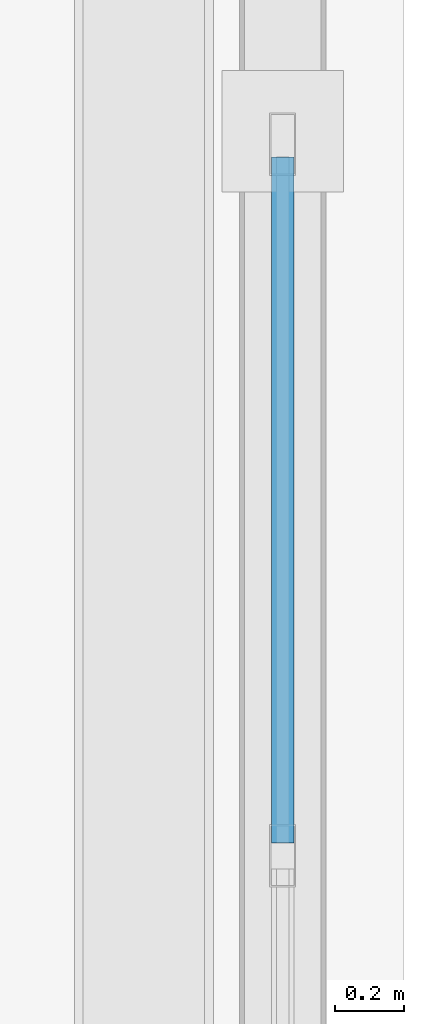
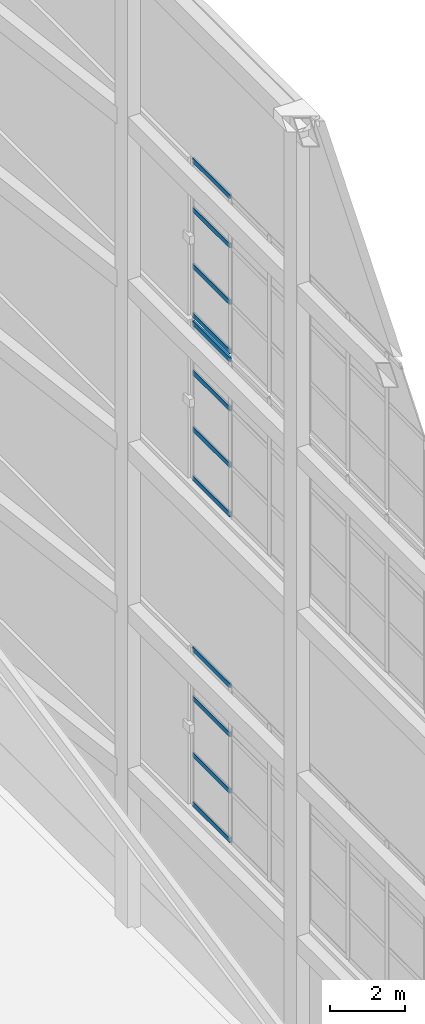
# One storey, part 40 of 47: 12 members, 3 elements without a shape of their own.
"""IFC4 building model written with IfcOpenShell, lengths in metres."""

from ifc_helpers import new_model, si_unit, direction, frame, origin, origin_2d, place, context, subcontext, project, spatial, hollow_rectangle, extrude, material, layer, layer_set, material_profile, profile_set, type_object, element, aggregate, save


model = new_model("IFC4")

# Units and contexts
model_context = context("Model", 3, precision=1e-05, world=origin(), true_north=direction((0.0, 1.0)))
body_context = subcontext(model_context, "Body", "Model", "MODEL_VIEW")
ifc_project = project(units=[si_unit("LENGTHUNIT", "METRE"), si_unit("AREAUNIT", "SQUARE_METRE"), si_unit("VOLUMEUNIT", "CUBIC_METRE"), si_unit("PLANEANGLEUNIT", "RADIAN"), si_unit("MASSUNIT", "GRAM", prefix="KILO")], contexts=[model_context])

# Site, building, storey
site_placement = place(None, origin())
site = spatial("IfcSite", under=ifc_project, at=site_placement, CompositionType="ELEMENT")
building_placement = place(site_placement, origin())
building = spatial("IfcBuilding", under=site, at=building_placement, Name="Qiaolan Cultural Towers", CompositionType="ELEMENT")
storey_placement = place(building_placement, frame((0.0, 0.0, 280.199951171875)))
storey = spatial("IfcBuildingStorey", under=building, at=storey_placement, Name="RF", CompositionType="ELEMENT", Elevation=280.199951171875)

# Curtain wall, members
ifc_material_1 = material(Name="Unitized Anodized Aluminium Curtain Wall System", Category="aluminium")
ifc_layer = layer(ifc_material_1, 0.199951171875)
ifc_layer_set = layer_set([ifc_layer], Name="Unitized Anodized Aluminium Curtain Wall System")
curtain_wall_type = type_object("IfcCurtainWallType", Name="CWS-06", PredefinedType="NOTDEFINED", material=ifc_layer_set)
curtain_wall_1_placement = place(storey_placement, origin())
curtain_wall_1 = element("IfcCurtainWall", 1, at=curtain_wall_1_placement, inside=storey, type_object=curtain_wall_type, Name="T1 Crown Tier 2 Fritted Screen Curtain Wall 3", PredefinedType="NOTDEFINED")
ifc_material_2 = material(Name="Extruded Aluminium 6063-T6", Category="aluminium")
ifc_material_profile = material_profile(ifc_material_2, hollow_rectangle(XDim=0.06494140625, YDim=0.14990234375, WallThickness=0.00390625, at=origin_2d()), Name="CWT-150x65x4")
ifc_profile_set = profile_set([ifc_material_profile], Name="Extruded Aluminium 6063-T6")
member_type = type_object("IfcMemberType", Name="CWS-06-TRN", PredefinedType="USERDEFINED", material=ifc_profile_set)
member_1_placement = place(storey_placement, frame((45.050048828125, 38.217529296875, 5.4326171875), z_axis=(0.0, 1.0, 0.0), x_axis=(-1.0, 0.0, 0.0)))
member_1 = element("IfcMember", 2, at=member_1_placement, type_object=member_type, Name="CW-6 transom 6.1", ObjectType="TRANSOM", PredefinedType="USERDEFINED", context=body_context, shape_type="SweptSolid", body=[
    extrude(hollow_rectangle(XDim=0.06494140625, YDim=0.14990234375, WallThickness=0.00390625, at=origin_2d()), origin(), (0.0, 0.0, 1.0), 1.9775390625),
])
member_2_placement = place(storey_placement, frame((45.050048828125, 38.217529296875, 7.030029296875), z_axis=(0.0, 1.0, 0.0), x_axis=(-1.0, 0.0, 0.0)))
member_2 = element("IfcMember", 3, at=member_2_placement, type_object=member_type, Name="CW-6 transom 6.2", ObjectType="TRANSOM", PredefinedType="USERDEFINED", context=body_context, shape_type="SweptSolid", body=[
    extrude(hollow_rectangle(XDim=0.06494140625, YDim=0.14990234375, WallThickness=0.00390625, at=origin_2d()), origin(), (0.0, 0.0, 1.0), 1.9775390625),
])
member_3_placement = place(storey_placement, frame((45.050048828125, 38.217529296875, 8.8701171875), z_axis=(0.0, 1.0, 0.0), x_axis=(-1.0, 0.0, 0.0)))
member_3 = element("IfcMember", 4, at=member_3_placement, type_object=member_type, Name="CW-6 transom 6.3", ObjectType="TRANSOM", PredefinedType="USERDEFINED", context=body_context, shape_type="SweptSolid", body=[
    extrude(hollow_rectangle(XDim=0.06494140625, YDim=0.14990234375, WallThickness=0.00390625, at=origin_2d()), origin(), (0.0, 0.0, 1.0), 1.9775390625),
])
member_4_placement = place(storey_placement, frame((45.050048828125, 38.217529296875, 10.467529296875), z_axis=(0.0, 1.0, 0.0), x_axis=(-1.0, 0.0, 0.0)))
member_4 = element("IfcMember", 5, at=member_4_placement, type_object=member_type, Name="CW-6 transom 6.4", ObjectType="TRANSOM", PredefinedType="USERDEFINED", context=body_context, shape_type="SweptSolid", body=[
    extrude(hollow_rectangle(XDim=0.06494140625, YDim=0.14990234375, WallThickness=0.00390625, at=origin_2d()), origin(), (0.0, 0.0, 1.0), 1.9775390625),
])
aggregate(curtain_wall_1, [member_1, member_2, member_3, member_4])

curtain_wall_2_placement = place(storey_placement, origin())
curtain_wall_2 = element("IfcCurtainWall", 6, at=curtain_wall_2_placement, inside=storey, type_object=curtain_wall_type, Name="T1 Crown Tier 4 Fritted Screen Curtain Wall 3", PredefinedType="NOTDEFINED")
member_5_placement = place(storey_placement, frame((45.050048828125, 38.217529296875, 16.032470703125), z_axis=(0.0, 1.0, 0.0), x_axis=(-1.0, 0.0, 0.0)))
member_5 = element("IfcMember", 7, at=member_5_placement, type_object=member_type, Name="CW-6 transom 6.1", ObjectType="TRANSOM", PredefinedType="USERDEFINED", context=body_context, shape_type="SweptSolid", body=[
    extrude(hollow_rectangle(XDim=0.06494140625, YDim=0.14990234375, WallThickness=0.00390625, at=origin_2d()), origin(), (0.0, 0.0, 1.0), 1.9775390625),
])
member_6_placement = place(storey_placement, frame((45.050048828125, 38.217529296875, 17.630126953125), z_axis=(0.0, 1.0, 0.0), x_axis=(-1.0, 0.0, 0.0)))
member_6 = element("IfcMember", 8, at=member_6_placement, type_object=member_type, Name="CW-6 transom 6.2", ObjectType="TRANSOM", PredefinedType="USERDEFINED", context=body_context, shape_type="SweptSolid", body=[
    extrude(hollow_rectangle(XDim=0.06494140625, YDim=0.14990234375, WallThickness=0.00390625, at=origin_2d()), origin(), (0.0, 0.0, 1.0), 1.9775390625),
])
member_7_placement = place(storey_placement, frame((45.050048828125, 38.217529296875, 19.469970703125), z_axis=(0.0, 1.0, 0.0), x_axis=(-1.0, 0.0, 0.0)))
member_7 = element("IfcMember", 9, at=member_7_placement, type_object=member_type, Name="CW-6 transom 6.3", ObjectType="TRANSOM", PredefinedType="USERDEFINED", context=body_context, shape_type="SweptSolid", body=[
    extrude(hollow_rectangle(XDim=0.06494140625, YDim=0.14990234375, WallThickness=0.00390625, at=origin_2d()), origin(), (0.0, 0.0, 1.0), 1.9775390625),
])
member_8_placement = place(storey_placement, frame((45.050048828125, 38.217529296875, 21.067626953125), z_axis=(0.0, 1.0, 0.0), x_axis=(-1.0, 0.0, 0.0)))
member_8 = element("IfcMember", 10, at=member_8_placement, type_object=member_type, Name="CW-6 transom 6.4", ObjectType="TRANSOM", PredefinedType="USERDEFINED", context=body_context, shape_type="SweptSolid", body=[
    extrude(hollow_rectangle(XDim=0.06494140625, YDim=0.14990234375, WallThickness=0.00390625, at=origin_2d()), origin(), (0.0, 0.0, 1.0), 1.9775390625),
])
aggregate(curtain_wall_2, [member_5, member_6, member_7, member_8])

curtain_wall_3_placement = place(storey_placement, origin())
curtain_wall_3 = element("IfcCurtainWall", 11, at=curtain_wall_3_placement, inside=storey, type_object=curtain_wall_type, Name="T1 Crown Tier 5 Fritted Screen Curtain Wall 3", PredefinedType="NOTDEFINED")
member_9_placement = place(storey_placement, frame((45.050048828125, 38.217529296875, 21.33251953125), z_axis=(0.0, 1.0, 0.0), x_axis=(-1.0, 0.0, 0.0)))
member_9 = element("IfcMember", 12, at=member_9_placement, type_object=member_type, Name="CW-6 transom 6.1", ObjectType="TRANSOM", PredefinedType="USERDEFINED", context=body_context, shape_type="SweptSolid", body=[
    extrude(hollow_rectangle(XDim=0.06494140625, YDim=0.14990234375, WallThickness=0.00390625, at=origin_2d()), origin(), (0.0, 0.0, 1.0), 1.9775390625),
])
member_10_placement = place(storey_placement, frame((45.050048828125, 38.217529296875, 22.929931640625), z_axis=(0.0, 1.0, 0.0), x_axis=(-1.0, 0.0, 0.0)))
member_10 = element("IfcMember", 13, at=member_10_placement, type_object=member_type, Name="CW-6 transom 6.2", ObjectType="TRANSOM", PredefinedType="USERDEFINED", context=body_context, shape_type="SweptSolid", body=[
    extrude(hollow_rectangle(XDim=0.06494140625, YDim=0.14990234375, WallThickness=0.00390625, at=origin_2d()), origin(), (0.0, 0.0, 1.0), 1.9775390625),
])
member_11_placement = place(storey_placement, frame((45.050048828125, 38.217529296875, 24.77001953125), z_axis=(0.0, 1.0, 0.0), x_axis=(-1.0, 0.0, 0.0)))
member_11 = element("IfcMember", 14, at=member_11_placement, type_object=member_type, Name="CW-6 transom 6.3", ObjectType="TRANSOM", PredefinedType="USERDEFINED", context=body_context, shape_type="SweptSolid", body=[
    extrude(hollow_rectangle(XDim=0.06494140625, YDim=0.14990234375, WallThickness=0.00390625, at=origin_2d()), origin(), (0.0, 0.0, 1.0), 1.9775390625),
])
member_12_placement = place(storey_placement, frame((45.050048828125, 38.217529296875, 26.367431640625), z_axis=(0.0, 1.0, 0.0), x_axis=(-1.0, 0.0, 0.0)))
member_12 = element("IfcMember", 15, at=member_12_placement, type_object=member_type, Name="CW-6 transom 6.4", ObjectType="TRANSOM", PredefinedType="USERDEFINED", context=body_context, shape_type="SweptSolid", body=[
    extrude(hollow_rectangle(XDim=0.06494140625, YDim=0.14990234375, WallThickness=0.00390625, at=origin_2d()), origin(), (0.0, 0.0, 1.0), 1.9775390625),
])
aggregate(curtain_wall_3, [member_9, member_10, member_11, member_12])

save(model, "model.ifc")
